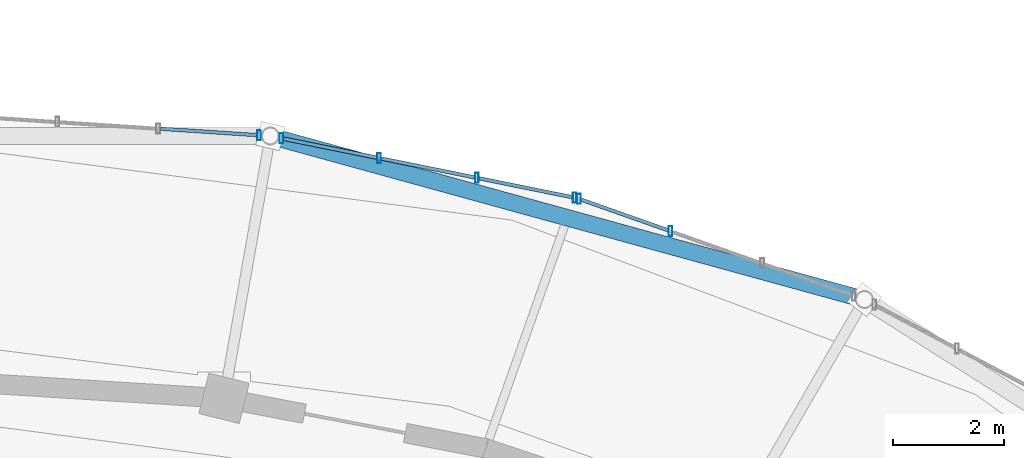
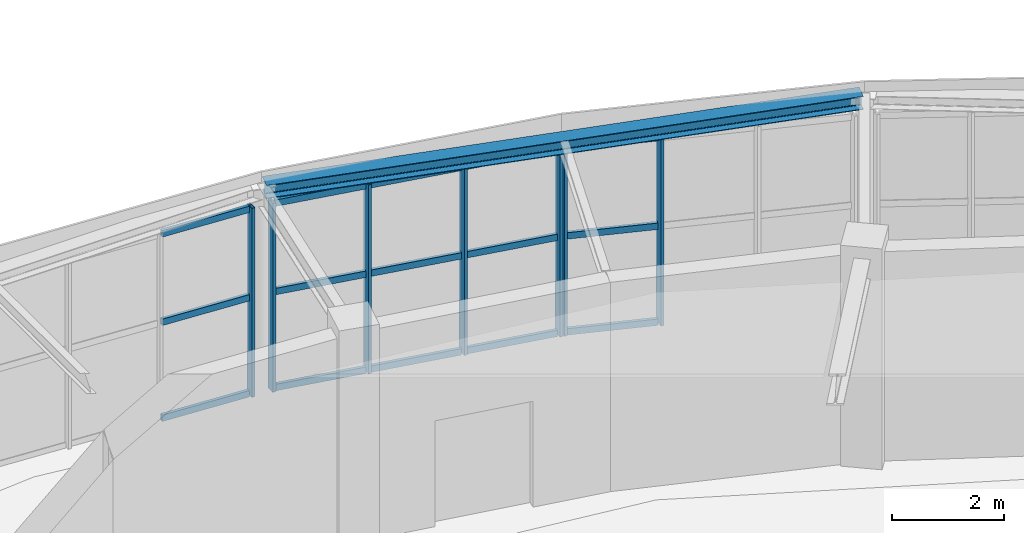
# One storey, part 62 of 108: 22 members, 1 beam, 3 elements without a shape of their own.
"""IFC4 building model written with IfcOpenShell, lengths in metres."""

import ifcopenshell
import ifcopenshell.guid

model = None  # the IFC model being written
_history = None  # IfcOwnerHistory: only IFC2X3 demands one
_inside = {}  # id of a spatial element -> (the spatial element, [elements in it])
_under = {}  # id of a project, library or spatial element -> (it, [spatial elements below it])
_declared = {}  # id of a project -> (the project, [libraries it declares])
_typed = {}  # id of a type object -> (the type object, [elements of that type])
_made_of = {}  # id of a material, layer set ... -> (it, [elements and type objects made of it])


def new_model(schema):
    """Start an empty IFC model of exactly this schema.

    Asked for "IFC4X3", IfcOpenShell would pick the latest addendum, in which some entities
    have other attributes; the version numbers below select the first issue.
    IFC2X3 requires an IfcOwnerHistory on every rooted entity: one is made here for all.
    """
    global model, _history
    if schema == "IFC4X3":
        model = ifcopenshell.file(schema_version=(4, 3, 0, 0))
    else:
        model = ifcopenshell.file(schema=schema)
    _inside.clear()
    _under.clear()
    _declared.clear()
    _typed.clear()
    _made_of.clear()
    _history = None
    if model.schema == "IFC2X3":
        org = make("IfcOrganization", Name="unknown")
        user = make(
            "IfcPersonAndOrganization",
            ThePerson=make("IfcPerson", FamilyName="unknown"),
            TheOrganization=org,
        )
        app = make(
            "IfcApplication",
            ApplicationDeveloper=org,
            Version="unknown",
            ApplicationFullName="unknown",
            ApplicationIdentifier="unknown",
        )
        _history = make(
            "IfcOwnerHistory",
            OwningUser=user,
            OwningApplication=app,
            ChangeAction="ADDED",
            CreationDate=0,
        )
    return model


def make(cls, **values):
    """One entity of the class cls with the attributes given. An attribute that is None is left unset."""
    return model.create_entity(
        cls, **{name: value for name, value in values.items() if value is not None}
    )


def rooted(cls, **values):
    """An entity with a GlobalId (a new one), such as an element, a storey or a relation."""
    return make(cls, GlobalId=ifcopenshell.guid.new(), OwnerHistory=_history, **values)


def si_unit(unit_type, name, prefix=None):
    """IfcSIUnit, for example si_unit("LENGTHUNIT", "METRE", prefix="MILLI")."""
    return make("IfcSIUnit", UnitType=unit_type, Prefix=prefix, Name=name)


def assignment(units):
    """IfcUnitAssignment: the units of a project."""
    return None if units is None else make("IfcUnitAssignment", Units=units)


def point(xyz):
    """IfcCartesianPoint."""
    return None if xyz is None else make("IfcCartesianPoint", Coordinates=xyz)


def direction(xyz):
    """IfcDirection."""
    return None if xyz is None else make("IfcDirection", DirectionRatios=xyz)


def frame(location, z_axis=None, x_axis=None):
    """IfcAxis2Placement3D, a coordinate frame: its origin and axes. An axis left out is left unset."""
    return make(
        "IfcAxis2Placement3D",
        Location=point(location),
        Axis=direction(z_axis),
        RefDirection=direction(x_axis),
    )


def frame_2d(location, x_axis=None):
    """IfcAxis2Placement2D, a coordinate frame in the plane: its origin and x axis."""
    return make(
        "IfcAxis2Placement2D", Location=point(location), RefDirection=direction(x_axis)
    )


def origin():
    """The frame at (0, 0, 0) with its axes left unset."""
    return frame((0.0, 0.0, 0.0))


def origin_2d():
    """The frame at (0, 0) in the plane with its x axis left unset."""
    return frame_2d((0.0, 0.0))


def place(relative_to, where):
    """IfcLocalPlacement: puts the frame where relative to a parent placement (None: the world)."""
    return make(
        "IfcLocalPlacement", PlacementRelTo=relative_to, RelativePlacement=where
    )


def context(
    kind, dimensions, precision=None, world=None, true_north=None, identifier=None
):
    """IfcGeometricRepresentationContext, for example the 3D "Model" context."""
    return make(
        "IfcGeometricRepresentationContext",
        ContextIdentifier=identifier,
        ContextType=kind,
        CoordinateSpaceDimension=dimensions,
        Precision=precision,
        WorldCoordinateSystem=world,
        TrueNorth=true_north,
    )


def subcontext(parent, identifier, kind, view, scale=None):
    """IfcGeometricRepresentationSubContext, for example "Body" below "Model"."""
    return make(
        "IfcGeometricRepresentationSubContext",
        ContextIdentifier=identifier,
        ContextType=kind,
        ParentContext=parent,
        TargetScale=scale,
        TargetView=view,
    )


def project(units=None, contexts=None):
    """IfcProject with its units and contexts."""
    return rooted(
        "IfcProject",
        Name="project",
        RepresentationContexts=contexts,
        UnitsInContext=assignment(units),
    )


def spatial(cls, under=None, at=None, **own):
    """A site, building, storey or space (cls), placed at a placement, below another one or the project."""
    s = rooted(cls, ObjectPlacement=at, **own)
    if under is not None:
        _under.setdefault(under.id(), (under, []))[1].append(s)
    return s


def profile(cls, at=None, kind="AREA", **sizes):
    """A parametric profile (cls). Its sizes go by their IFC names, for example OverallWidth=200.0."""
    return make(cls, ProfileType=kind, Position=at, **sizes)


def hollow_rectangle(**sizes):
    """IfcRectangleHollowProfileDef."""
    return profile("IfcRectangleHollowProfileDef", **sizes)


def i_section(**sizes):
    """IfcIShapeProfileDef."""
    return profile("IfcIShapeProfileDef", **sizes)


def extrude(swept, where, along, depth):
    """IfcExtrudedAreaSolid: the profile swept, set in the frame where, extruded along a direction by depth."""
    return make(
        "IfcExtrudedAreaSolid",
        SweptArea=swept,
        Position=where,
        ExtrudedDirection=direction(along),
        Depth=depth,
    )


def shape(context_of_items, identifier, shape_type, items):
    """IfcShapeRepresentation: the items that make up one representation, for example the "Body"."""
    return make(
        "IfcShapeRepresentation",
        ContextOfItems=context_of_items,
        RepresentationIdentifier=identifier,
        RepresentationType=shape_type,
        Items=items,
    )


def material(Name=None, Category=None):
    """IfcMaterial."""
    return make("IfcMaterial", Name=Name, Category=Category)


def material_profile(
    of_material, cross_section, Name=None, Category=None, Priority=None
):
    """IfcMaterialProfile: a cross section and its material."""
    return make(
        "IfcMaterialProfile",
        Name=Name,
        Material=of_material,
        Profile=cross_section,
        Priority=Priority,
        Category=Category,
    )


def profile_set(profiles, Name=None, composite=None):
    """IfcMaterialProfileSet."""
    return make(
        "IfcMaterialProfileSet",
        Name=Name,
        MaterialProfiles=profiles,
        CompositeProfile=composite,
    )


def made_of(thing, what):
    """Note that an element or type object is made of a material, layer set ...; save() writes the relation."""
    if what is not None:
        _made_of.setdefault(what.id(), (what, []))[1].append(thing)
    return thing


def type_object(cls, material=None, **own):
    """A type object (cls), such as IfcWallType, which elements share."""
    return made_of(rooted(cls, **own), material)


def element(
    cls,
    number,
    at=None,
    inside=None,
    cuts=None,
    type_object=None,
    material=None,
    context=None,
    identifier="Body",
    shape_type=None,
    held_by="IfcProductDefinitionShape",
    body=None,
    shapes=None,
    **own,
):
    """One element of the class cls, such as IfcWall. Its Tag is "e" and its number.

    at: its placement. inside: the storey or other place that contains it. cuts: it is an
    opening in that element (IfcRelVoidsElement). A single representation is given by context,
    identifier, shape_type and body (its items); several are given by shapes. held_by: the class
    of the entity that holds the representations. save() writes the other relations.
    """
    e = rooted(cls, Tag="e%d" % number, ObjectPlacement=at, **own)
    if body is not None:
        shapes = [shape(context, identifier, shape_type, body)]
    if shapes is not None:
        e.Representation = make(held_by, Representations=shapes)
    if inside is not None:
        _inside.setdefault(inside.id(), (inside, []))[1].append(e)
    if cuts is not None:
        rooted(
            "IfcRelVoidsElement", RelatingBuildingElement=cuts, RelatedOpeningElement=e
        )
    if type_object is not None:
        _typed.setdefault(type_object.id(), (type_object, []))[1].append(e)
    return made_of(e, material)


def aggregate(whole, parts):
    """IfcRelAggregates: a whole, such as a stair, and the parts it consists of."""
    return rooted("IfcRelAggregates", RelatingObject=whole, RelatedObjects=parts)


def save(model, path):
    """Write the relations noted so far, then the file.

    IfcRelAggregates (storeys below a building ...), IfcRelContainedInSpatialStructure (elements
    in a storey), IfcRelDefinesByType, IfcRelAssociatesMaterial and IfcRelDeclares: one each for
    every whole, place, type object, material and project.
    """
    for whole, parts in _under.values():
        aggregate(whole, parts)
    for where, things in _inside.values():
        rooted(
            "IfcRelContainedInSpatialStructure",
            RelatedElements=things,
            RelatingStructure=where,
        )
    for kind, things in _typed.values():
        rooted("IfcRelDefinesByType", RelatedObjects=things, RelatingType=kind)
    for what, things in _made_of.values():
        rooted("IfcRelAssociatesMaterial", RelatedObjects=things, RelatingMaterial=what)
    for by, libraries in _declared.values():
        rooted("IfcRelDeclares", RelatingContext=by, RelatedDefinitions=libraries)
    model.write(path)


model = new_model("IFC4")

# Units and contexts
model_context = context("Model", 3, precision=1e-05, world=origin(), true_north=direction((0.0, 1.0)))
body_context = subcontext(model_context, "Body", "Model", "MODEL_VIEW")
ifc_project = project(units=[si_unit("LENGTHUNIT", "METRE"), si_unit("AREAUNIT", "SQUARE_METRE"), si_unit("VOLUMEUNIT", "CUBIC_METRE"), si_unit("PLANEANGLEUNIT", "RADIAN"), si_unit("MASSUNIT", "GRAM", prefix="KILO")], contexts=[model_context])

# Site, building, storey
site_placement = place(None, origin())
site = spatial("IfcSite", under=ifc_project, at=site_placement, CompositionType="ELEMENT")
building_placement = place(site_placement, origin())
building = spatial("IfcBuilding", under=site, at=building_placement, Name="Tarnveldt Headland Concert Hall", CompositionType="ELEMENT")
storey_placement = place(building_placement, frame((0.0, 0.0, 9.60009765625)))
storey = spatial("IfcBuildingStorey", under=building, at=storey_placement, Name="L02", CompositionType="ELEMENT", Elevation=9.60009765625)

# Curtain wall, members
ifc_material_1 = material(Name="Marine-anodised aluminium EN AW-6063-T6", Category="aluminium")
curtain_wall_type = type_object("IfcCurtainWallType", Name="CW-F3", PredefinedType="NOTDEFINED", material=ifc_material_1)
curtain_wall_1_placement = place(storey_placement, origin())
curtain_wall_1 = element("IfcCurtainWall", 1, at=curtain_wall_1_placement, inside=storey, type_object=curtain_wall_type, Name="Curtain wall CW-L02-066", PredefinedType="NOTDEFINED")
ifc_material_profile_1 = material_profile(ifc_material_1, hollow_rectangle(XDim=0.06494140625, YDim=0.179931640625, WallThickness=0.00390625, at=origin_2d()), Name="ALU MULLION 65x180x4", Category="aluminium")
ifc_profile_set_1 = profile_set([ifc_material_profile_1], Name="Marine-anodised aluminium EN AW-6063-T6")
member_type_1 = type_object("IfcMemberType", Name="ML-180", PredefinedType="MULLION", material=ifc_profile_set_1)
member_1_placement = place(storey_placement, frame((96.4072265625, 77.208984375, 0.0), z_axis=(0.0, 0.0, 1.0), x_axis=(1.0, 0.0, 0.0)))
member_1 = element("IfcMember", 2, at=member_1_placement, type_object=member_type_1, Name="Mullion CW-L02-066-3", PredefinedType="MULLION", context=body_context, shape_type="SweptSolid", body=[
    extrude(hollow_rectangle(XDim=0.06494140625, YDim=0.179931640625, WallThickness=0.00390625, at=origin_2d()), origin(), (0.0, 0.0, 1.0), 4.10791015625),
])
member_2_placement = place(storey_placement, frame((94.756103515625, 77.791015625, 0.0), z_axis=(0.0, 0.0, 1.0), x_axis=(1.0, 0.0, 0.0)))
member_2 = element("IfcMember", 3, at=member_2_placement, type_object=member_type_1, Name="Mullion CW-L02-066-4", PredefinedType="MULLION", context=body_context, shape_type="SweptSolid", body=[
    extrude(hollow_rectangle(XDim=0.06494140625, YDim=0.179931640625, WallThickness=0.00390625, at=origin_2d()), origin(), (0.0, 0.0, 1.0), 4.10791015625),
])

curtain_wall_2_placement = place(storey_placement, origin())
curtain_wall_2 = element("IfcCurtainWall", 4, at=curtain_wall_2_placement, inside=storey, type_object=curtain_wall_type, Name="Curtain wall CW-L02-067", PredefinedType="NOTDEFINED")
member_3_placement = place(storey_placement, frame((94.67919921875, 77.812255859375, 0.0), z_axis=(0.0, 0.0, 1.0), x_axis=(1.0, 0.0, 0.0)))
member_3 = element("IfcMember", 5, at=member_3_placement, type_object=member_type_1, Name="Mullion CW-L02-067-1", PredefinedType="MULLION", context=body_context, shape_type="SweptSolid", body=[
    extrude(hollow_rectangle(XDim=0.06494140625, YDim=0.179931640625, WallThickness=0.00390625, at=origin_2d()), origin(), (0.0, 0.0, 1.0), 4.10791015625),
])
member_4_placement = place(storey_placement, frame((92.917236328125, 78.169189453125, 0.0), z_axis=(0.0, 0.0, 1.0), x_axis=(1.0, 0.0, 0.0)))
member_4 = element("IfcMember", 6, at=member_4_placement, type_object=member_type_1, Name="Mullion CW-L02-067-2", PredefinedType="MULLION", context=body_context, shape_type="SweptSolid", body=[
    extrude(hollow_rectangle(XDim=0.06494140625, YDim=0.179931640625, WallThickness=0.00390625, at=origin_2d()), origin(), (0.0, 0.0, 1.0), 4.10791015625),
])
member_5_placement = place(storey_placement, frame((91.155517578125, 78.526123046875, 0.0), z_axis=(0.0, 0.0, 1.0), x_axis=(1.0, 0.0, 0.0)))
member_5 = element("IfcMember", 7, at=member_5_placement, type_object=member_type_1, Name="Mullion CW-L02-067-3", PredefinedType="MULLION", context=body_context, shape_type="SweptSolid", body=[
    extrude(hollow_rectangle(XDim=0.06494140625, YDim=0.179931640625, WallThickness=0.00390625, at=origin_2d()), origin(), (0.0, 0.0, 1.0), 4.10791015625),
])
member_6_placement = place(storey_placement, frame((89.3935546875, 78.883056640625, 0.0), z_axis=(0.0, 0.0, 1.0), x_axis=(1.0, 0.0, 0.0)))
member_6 = element("IfcMember", 8, at=member_6_placement, type_object=member_type_1, Name="Mullion CW-L02-067-4", PredefinedType="MULLION", context=body_context, shape_type="SweptSolid", body=[
    extrude(hollow_rectangle(XDim=0.06494140625, YDim=0.179931640625, WallThickness=0.00390625, at=origin_2d()), origin(), (0.0, 0.0, 1.0), 4.10791015625),
])

# Curtain wall, member
curtain_wall_3_placement = place(storey_placement, origin())
curtain_wall_3 = element("IfcCurtainWall", 9, at=curtain_wall_3_placement, inside=storey, type_object=curtain_wall_type, Name="Curtain wall CW-L02-068", PredefinedType="NOTDEFINED")
member_7_placement = place(storey_placement, frame((88.994140625, 78.9365234375, 0.0), z_axis=(0.0, 0.0, 1.0), x_axis=(1.0, 0.0, 0.0)))
member_7 = element("IfcMember", 10, at=member_7_placement, type_object=member_type_1, Name="Mullion CW-L02-068-1", PredefinedType="MULLION", context=body_context, shape_type="SweptSolid", body=[
    extrude(hollow_rectangle(XDim=0.06494140625, YDim=0.179931640625, WallThickness=0.00390625, at=origin_2d()), origin(), (0.0, 0.0, 1.0), 4.10791015625),
])

# Beam
ifc_material_2 = material(Name="Steel S355", Category="steel")
ifc_material_profile_2 = material_profile(ifc_material_2, i_section(OverallWidth=0.300048828125, OverallDepth=0.2900390625, WebThickness=0.008544921875, FlangeThickness=0.013916015625, FilletRadius=0.027099609375, at=origin_2d()), Name="HEA300", Category="steel")
ifc_profile_set_2 = profile_set([ifc_material_profile_2], Name="Steel S355")
beam_type = type_object("IfcBeamType", Name="SB-HEA300", PredefinedType="SPANDREL", material=ifc_profile_set_2)
beam_placement = place(storey_placement, frame((99.84228515625, 75.993408203125, 4.4248046875), z_axis=(-0.964161617091, 0.265315616065, 0.0), x_axis=(-0.265315616065, -0.964161617091, 0.0)))
element("IfcBeam", 11, at=beam_placement, inside=storey, type_object=beam_type, Name="Framing beam L02-1004", PredefinedType="SPANDREL", context=body_context, shape_type="SweptSolid", body=[
    extrude(i_section(OverallWidth=0.300048828125, OverallDepth=0.2900390625, WebThickness=0.008544921875, FlangeThickness=0.013916015625, FilletRadius=0.027099609375, at=origin_2d()), origin(), (0.0, 0.0, 1.0), 10.982421875),
])

# Member
ifc_material_profile_3 = material_profile(ifc_material_1, hollow_rectangle(XDim=0.06494140625, YDim=0.139892578125, WallThickness=0.00390625, at=origin_2d()), Name="ALU TRANSOM 65x140x4", Category="aluminium")
ifc_profile_set_3 = profile_set([ifc_material_profile_3], Name="Marine-anodised aluminium EN AW-6063-T6")
member_type_2 = type_object("IfcMemberType", Name="TR-140", PredefinedType="MEMBER", material=ifc_profile_set_3)
member_8_placement = place(storey_placement, frame((96.365234375, 77.2236328125, 0.0498046875), z_axis=(-0.94306083262, 0.332620303015, 0.0), x_axis=(-0.332620303015, -0.94306083262, 0.0)))
member_8 = element("IfcMember", 12, at=member_8_placement, type_object=member_type_2, Name="Transom CW-L02-066-3-1", PredefinedType="MEMBER", context=body_context, shape_type="SweptSolid", body=[
    extrude(hollow_rectangle(XDim=0.06494140625, YDim=0.139892578125, WallThickness=0.00390625, at=origin_2d()), origin(), (0.0, 0.0, 1.0), 1.661865234375),
])

member_9_placement = place(storey_placement, frame((96.365234375, 77.2236328125, 2.135986328125), z_axis=(-0.94306083262, 0.332620303015, 0.0), x_axis=(-0.332620303015, -0.94306083262, 0.0)))
member_9 = element("IfcMember", 13, at=member_9_placement, type_object=member_type_2, Name="Transom CW-L02-066-3-2", PredefinedType="MEMBER", context=body_context, shape_type="SweptSolid", body=[
    extrude(hollow_rectangle(XDim=0.06494140625, YDim=0.139892578125, WallThickness=0.00390625, at=origin_2d()), origin(), (0.0, 0.0, 1.0), 1.661865234375),
])

member_10_placement = place(storey_placement, frame((96.365234375, 77.2236328125, 4.057861328125), z_axis=(-0.94306083262, 0.332620303015, 0.0), x_axis=(-0.332620303015, -0.94306083262, 0.0)))
member_10 = element("IfcMember", 14, at=member_10_placement, type_object=member_type_2, Name="Transom CW-L02-066-3-3", PredefinedType="MEMBER", context=body_context, shape_type="SweptSolid", body=[
    extrude(hollow_rectangle(XDim=0.06494140625, YDim=0.139892578125, WallThickness=0.00390625, at=origin_2d()), origin(), (0.0, 0.0, 1.0), 1.661865234375),
])

aggregate(curtain_wall_1, [member_1, member_2, member_8, member_9, member_10])

member_11_placement = place(storey_placement, frame((94.635498046875, 77.821044921875, 0.0498046875), z_axis=(-0.980077374986, 0.198616059372, 0.0), x_axis=(-0.198616059372, -0.980077374986, 0.0)))
member_11 = element("IfcMember", 15, at=member_11_placement, type_object=member_type_2, Name="Transom CW-L02-067-1-1", PredefinedType="MEMBER", context=body_context, shape_type="SweptSolid", body=[
    extrude(hollow_rectangle(XDim=0.06494140625, YDim=0.139892578125, WallThickness=0.00390625, at=origin_2d()), origin(), (0.0, 0.0, 1.0), 1.70849609375),
])

member_12_placement = place(storey_placement, frame((94.635498046875, 77.821044921875, 2.135986328125), z_axis=(-0.980077374986, 0.198616059372, 0.0), x_axis=(-0.198616059372, -0.980077374986, 0.0)))
member_12 = element("IfcMember", 16, at=member_12_placement, type_object=member_type_2, Name="Transom CW-L02-067-1-2", PredefinedType="MEMBER", context=body_context, shape_type="SweptSolid", body=[
    extrude(hollow_rectangle(XDim=0.06494140625, YDim=0.139892578125, WallThickness=0.00390625, at=origin_2d()), origin(), (0.0, 0.0, 1.0), 1.70849609375),
])

member_13_placement = place(storey_placement, frame((94.635498046875, 77.821044921875, 4.057861328125), z_axis=(-0.980077374986, 0.198616059372, 0.0), x_axis=(-0.198616059372, -0.980077374986, 0.0)))
member_13 = element("IfcMember", 17, at=member_13_placement, type_object=member_type_2, Name="Transom CW-L02-067-1-3", PredefinedType="MEMBER", context=body_context, shape_type="SweptSolid", body=[
    extrude(hollow_rectangle(XDim=0.06494140625, YDim=0.139892578125, WallThickness=0.00390625, at=origin_2d()), origin(), (0.0, 0.0, 1.0), 1.70849609375),
])

member_14_placement = place(storey_placement, frame((92.873779296875, 78.177978515625, 0.0498046875), z_axis=(-0.980083010546, 0.198588248493, 0.0), x_axis=(-0.198588248493, -0.980083010546, 0.0)))
member_14 = element("IfcMember", 18, at=member_14_placement, type_object=member_type_2, Name="Transom CW-L02-067-2-1", PredefinedType="MEMBER", context=body_context, shape_type="SweptSolid", body=[
    extrude(hollow_rectangle(XDim=0.06494140625, YDim=0.139892578125, WallThickness=0.00390625, at=origin_2d()), origin(), (0.0, 0.0, 1.0), 1.708740234375),
])

member_15_placement = place(storey_placement, frame((92.873779296875, 78.177978515625, 2.135986328125), z_axis=(-0.980083010546, 0.198588248493, 0.0), x_axis=(-0.198588248493, -0.980083010546, 0.0)))
member_15 = element("IfcMember", 19, at=member_15_placement, type_object=member_type_2, Name="Transom CW-L02-067-2-2", PredefinedType="MEMBER", context=body_context, shape_type="SweptSolid", body=[
    extrude(hollow_rectangle(XDim=0.06494140625, YDim=0.139892578125, WallThickness=0.00390625, at=origin_2d()), origin(), (0.0, 0.0, 1.0), 1.708740234375),
])

member_16_placement = place(storey_placement, frame((92.873779296875, 78.177978515625, 4.057861328125), z_axis=(-0.980083010546, 0.198588248493, 0.0), x_axis=(-0.198588248493, -0.980083010546, 0.0)))
member_16 = element("IfcMember", 20, at=member_16_placement, type_object=member_type_2, Name="Transom CW-L02-067-2-3", PredefinedType="MEMBER", context=body_context, shape_type="SweptSolid", body=[
    extrude(hollow_rectangle(XDim=0.06494140625, YDim=0.139892578125, WallThickness=0.00390625, at=origin_2d()), origin(), (0.0, 0.0, 1.0), 1.708740234375),
])

member_17_placement = place(storey_placement, frame((91.11181640625, 78.534912109375, 0.0498046875), z_axis=(-0.980077374986, 0.198616059372, 0.0), x_axis=(-0.198616059372, -0.980077374986, 0.0)))
member_17 = element("IfcMember", 21, at=member_17_placement, type_object=member_type_2, Name="Transom CW-L02-067-3-1", PredefinedType="MEMBER", context=body_context, shape_type="SweptSolid", body=[
    extrude(hollow_rectangle(XDim=0.06494140625, YDim=0.139892578125, WallThickness=0.00390625, at=origin_2d()), origin(), (0.0, 0.0, 1.0), 1.70849609375),
])

member_18_placement = place(storey_placement, frame((91.11181640625, 78.534912109375, 2.135986328125), z_axis=(-0.980077374986, 0.198616059372, 0.0), x_axis=(-0.198616059372, -0.980077374986, 0.0)))
member_18 = element("IfcMember", 22, at=member_18_placement, type_object=member_type_2, Name="Transom CW-L02-067-3-2", PredefinedType="MEMBER", context=body_context, shape_type="SweptSolid", body=[
    extrude(hollow_rectangle(XDim=0.06494140625, YDim=0.139892578125, WallThickness=0.00390625, at=origin_2d()), origin(), (0.0, 0.0, 1.0), 1.70849609375),
])

member_19_placement = place(storey_placement, frame((91.11181640625, 78.534912109375, 4.057861328125), z_axis=(-0.980077374986, 0.198616059372, 0.0), x_axis=(-0.198616059372, -0.980077374986, 0.0)))
member_19 = element("IfcMember", 23, at=member_19_placement, type_object=member_type_2, Name="Transom CW-L02-067-3-3", PredefinedType="MEMBER", context=body_context, shape_type="SweptSolid", body=[
    extrude(hollow_rectangle(XDim=0.06494140625, YDim=0.139892578125, WallThickness=0.00390625, at=origin_2d()), origin(), (0.0, 0.0, 1.0), 1.70849609375),
])

aggregate(curtain_wall_2, [member_3, member_4, member_5, member_6, member_11, member_12, member_13, member_14, member_15, member_16, member_17, member_18, member_19])

member_20_placement = place(storey_placement, frame((88.94970703125, 78.939453125, 0.0498046875), z_axis=(-0.997814977195, 0.066070199676, 0.0), x_axis=(-0.066070199676, -0.997814977195, 0.0)))
member_20 = element("IfcMember", 24, at=member_20_placement, type_object=member_type_2, Name="Transom CW-L02-068-1-1", PredefinedType="MEMBER", context=body_context, shape_type="SweptSolid", body=[
    extrude(hollow_rectangle(XDim=0.06494140625, YDim=0.139892578125, WallThickness=0.00390625, at=origin_2d()), origin(), (0.0, 0.0, 1.0), 1.733154296875),
])

member_21_placement = place(storey_placement, frame((88.94970703125, 78.939453125, 2.135986328125), z_axis=(-0.997814977195, 0.066070199676, 0.0), x_axis=(-0.066070199676, -0.997814977195, 0.0)))
member_21 = element("IfcMember", 25, at=member_21_placement, type_object=member_type_2, Name="Transom CW-L02-068-1-2", PredefinedType="MEMBER", context=body_context, shape_type="SweptSolid", body=[
    extrude(hollow_rectangle(XDim=0.06494140625, YDim=0.139892578125, WallThickness=0.00390625, at=origin_2d()), origin(), (0.0, 0.0, 1.0), 1.733154296875),
])

member_22_placement = place(storey_placement, frame((88.94970703125, 78.939453125, 4.057861328125), z_axis=(-0.997814977195, 0.066070199676, 0.0), x_axis=(-0.066070199676, -0.997814977195, 0.0)))
member_22 = element("IfcMember", 26, at=member_22_placement, type_object=member_type_2, Name="Transom CW-L02-068-1-3", PredefinedType="MEMBER", context=body_context, shape_type="SweptSolid", body=[
    extrude(hollow_rectangle(XDim=0.06494140625, YDim=0.139892578125, WallThickness=0.00390625, at=origin_2d()), origin(), (0.0, 0.0, 1.0), 1.733154296875),
])

aggregate(curtain_wall_3, [member_7, member_20, member_21, member_22])

save(model, "model.ifc")
